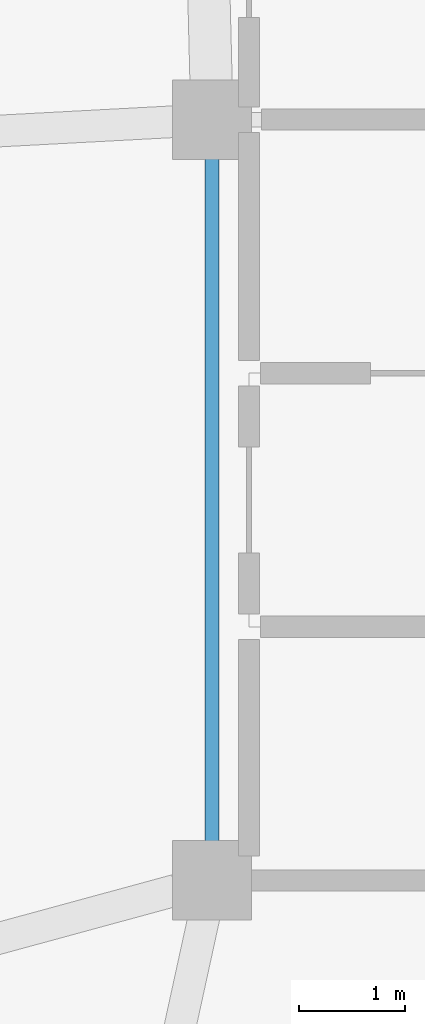
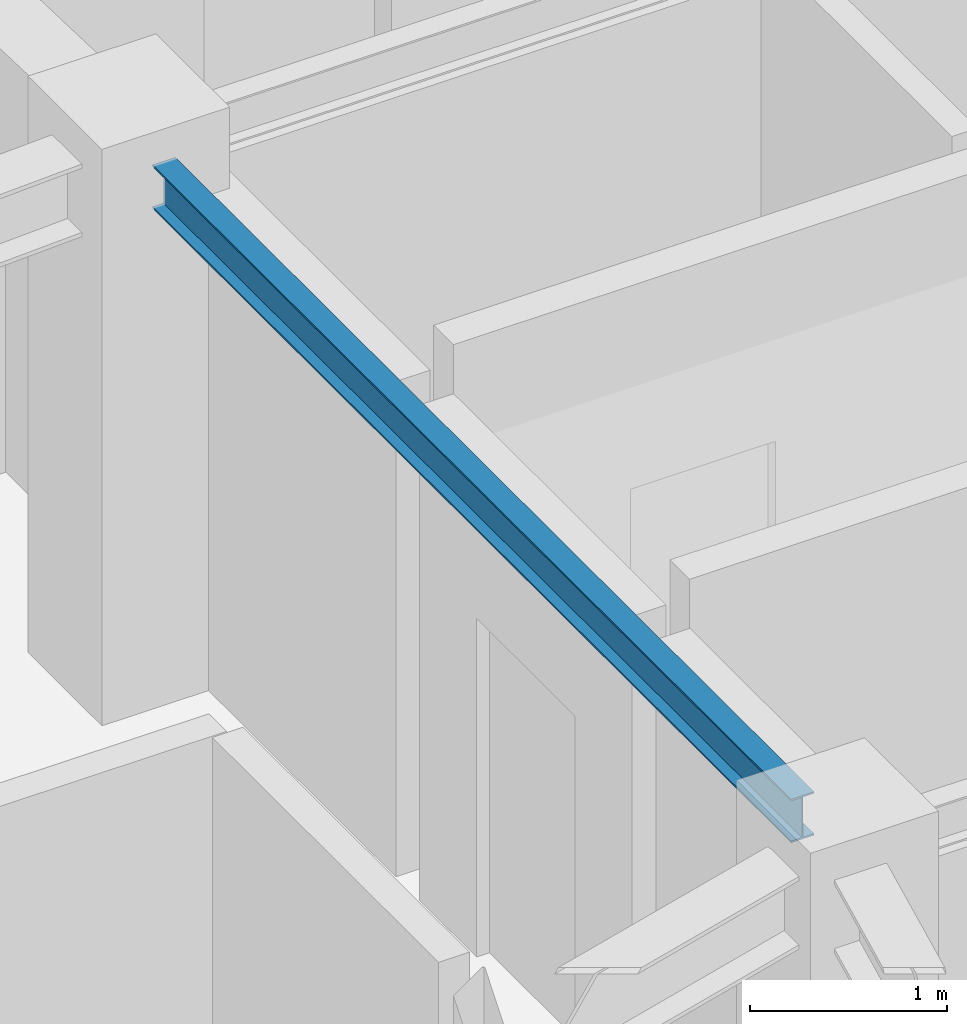
# One storey, part 6 of 27: 1 beam.
"""IFC4 building model written with IfcOpenShell, lengths in metres."""

from ifc_helpers import new_model, si_unit, direction, frame, origin, origin_2d, place, context, subcontext, project, spatial, i_section, extrude, material, material_profile, profile_set, type_object, element, save


model = new_model("IFC4")

# Units and contexts
model_context = context("Model", 3, precision=1e-05, world=origin(), true_north=direction((0.0, 1.0)))
body_context = subcontext(model_context, "Body", "Model", "MODEL_VIEW")
ifc_project = project(units=[si_unit("LENGTHUNIT", "METRE"), si_unit("AREAUNIT", "SQUARE_METRE"), si_unit("VOLUMEUNIT", "CUBIC_METRE"), si_unit("PLANEANGLEUNIT", "RADIAN"), si_unit("MASSUNIT", "GRAM", prefix="KILO")], contexts=[model_context])

# Site, building, storey
site_placement = place(None, origin())
site = spatial("IfcSite", under=ifc_project, at=site_placement, CompositionType="ELEMENT")
building_placement = place(site_placement, origin())
building = spatial("IfcBuilding", under=site, at=building_placement, Name="Varnakorn Sky Granary", CompositionType="ELEMENT")
storey_placement = place(building_placement, frame((0.0, 0.0, 249.0)))
storey = spatial("IfcBuildingStorey", under=building, at=storey_placement, Name="L63", CompositionType="ELEMENT", Elevation=249.0)

# Beam
ifc_material = material(Name="Steel S355JR", Category="steel")
ifc_material_profile = material_profile(ifc_material, i_section(OverallWidth=0.135009765625, OverallDepth=0.27001953125, WebThickness=0.006591796875, FlangeThickness=0.01025390625, at=origin_2d()), Name="IPE 270")
ifc_profile_set = profile_set([ifc_material_profile], Name="Steel S355JR")
beam_type = type_object("IfcBeamType", Name="BM-SEC-Z5", PredefinedType="BEAM", material=ifc_profile_set)
beam_placement = place(storey_placement, frame((-2.35009765625, 0.2451171875, 3.22509765625), z_axis=(0.0, -1.0, 0.0), x_axis=(1.0, 0.0, 0.0)))
element("IfcBeam", 1, at=beam_placement, inside=storey, type_object=beam_type, Name="Core Spine Framing Beam 3 L63", PredefinedType="BEAM", context=body_context, shape_type="SweptSolid", body=[
    extrude(i_section(OverallWidth=0.135009765625, OverallDepth=0.27001953125, WebThickness=0.006591796875, FlangeThickness=0.01025390625, at=origin_2d()), origin(), (0.0, 0.0, 1.0), 6.490234375),
])

save(model, "model.ifc")
